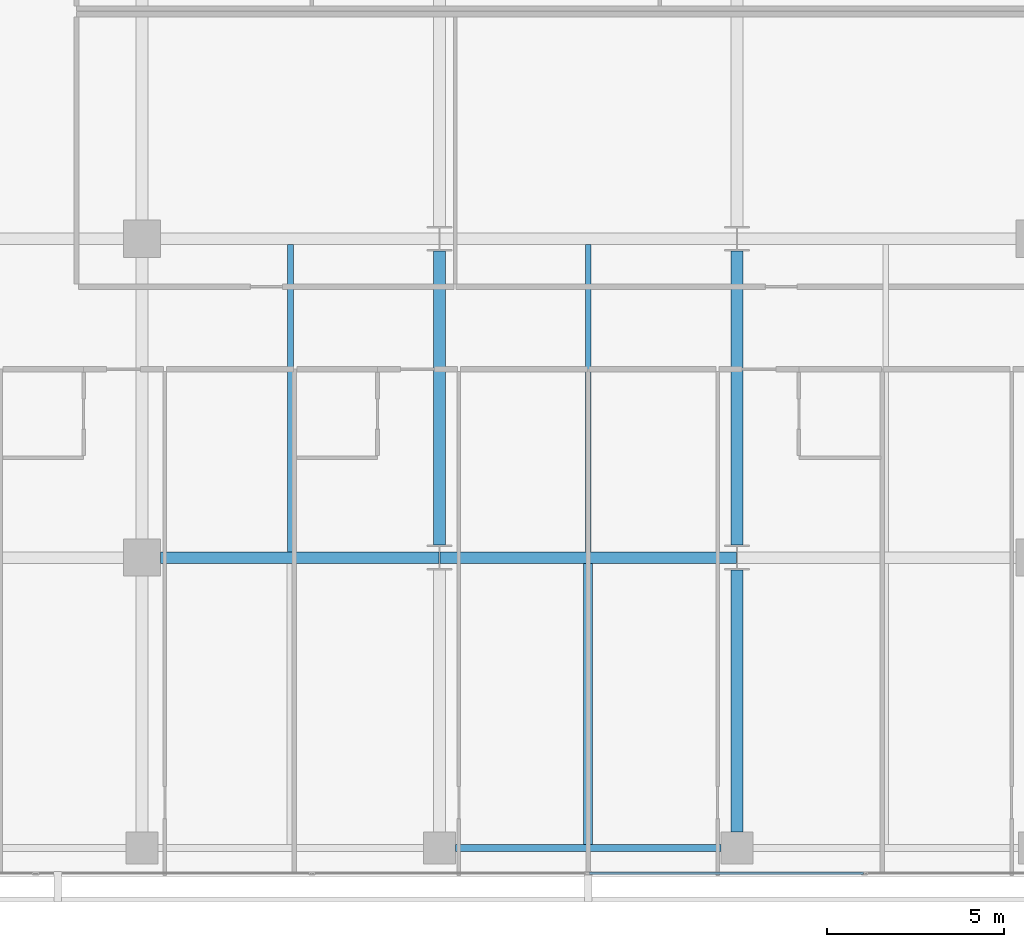
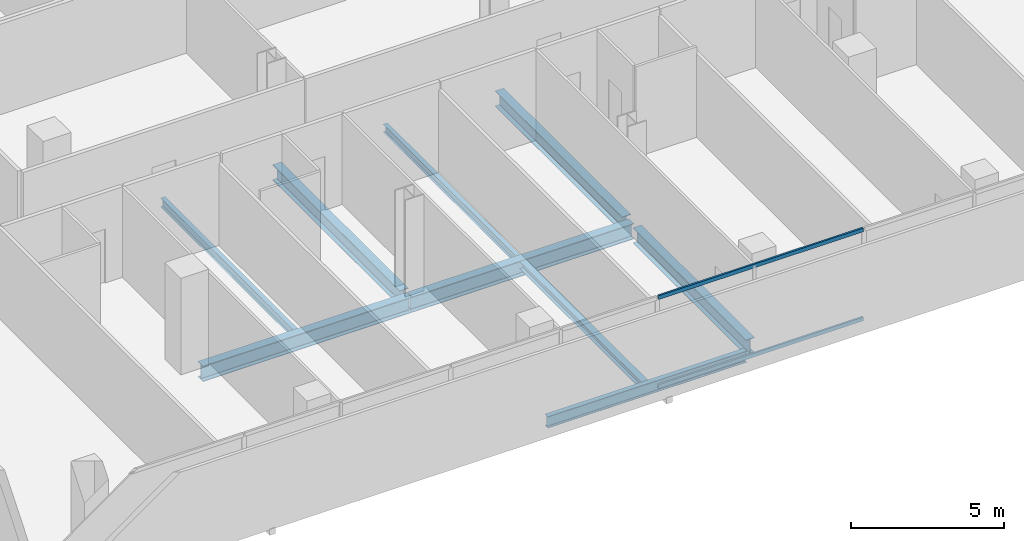
# One storey, part 9 of 40: 9 beams, 2 members, 1 element without a shape of its own.
"""IFC4 building model written with IfcOpenShell, lengths in metres."""

from ifc_helpers import new_model, si_unit, direction, frame, origin, origin_2d, place, context, subcontext, project, spatial, hollow_rectangle, i_section, extrude, material, layer, layer_set, material_profile, profile_set, type_object, element, aggregate, save


model = new_model("IFC4")

# Units and contexts
model_context = context("Model", 3, precision=1e-05, world=origin(), true_north=direction((0.0, 1.0)))
body_context = subcontext(model_context, "Body", "Model", "MODEL_VIEW")
ifc_project = project(units=[si_unit("LENGTHUNIT", "METRE"), si_unit("AREAUNIT", "SQUARE_METRE"), si_unit("VOLUMEUNIT", "CUBIC_METRE"), si_unit("PLANEANGLEUNIT", "RADIAN"), si_unit("MASSUNIT", "GRAM", prefix="KILO")], contexts=[model_context])

# Site, building, storey
site_placement = place(None, origin())
site = spatial("IfcSite", under=ifc_project, at=site_placement, CompositionType="ELEMENT")
building_placement = place(site_placement, origin())
building = spatial("IfcBuilding", under=site, at=building_placement, Name="Maruvema Waterfront Hotel and Observation Tower", CompositionType="ELEMENT")
storey_placement = place(building_placement, frame((0.0, 0.0, 50.050048828125)))
storey = spatial("IfcBuildingStorey", under=building, at=storey_placement, Name="L11", CompositionType="ELEMENT", Elevation=50.050048828125)

# Curtain wall, members
ifc_material_1 = material(Name="Anodised bronze aluminium and solar-control low-E IGU", Category="aluminium")
ifc_layer = layer(ifc_material_1, 0.159912109375, Name="Zone 1 Bronze Inner Thermal Curtain Wall System CW-02")
ifc_layer_set = layer_set([ifc_layer], Name="Anodised bronze aluminium and solar-control low-E IGU")
curtain_wall_type = type_object("IfcCurtainWallType", Name="Zone 1 Bronze Inner Thermal Curtain Wall System CW-02", PredefinedType="USERDEFINED", material=ifc_layer_set)
curtain_wall_placement = place(storey_placement, origin())
curtain_wall = element("IfcCurtainWall", 1, at=curtain_wall_placement, inside=storey, type_object=curtain_wall_type, Name="L11 Curtain Wall CW-L11-S", ObjectType="UNITISED CURTAIN WALL", PredefinedType="USERDEFINED")
ifc_material_2 = material(Name="Anodised architectural bronze aluminium", Category="aluminium")
ifc_material_profile_1 = material_profile(ifc_material_2, hollow_rectangle(XDim=0.070068359375, YDim=0.14990234375, WallThickness=0.00390625, at=origin_2d()), Name="ALU-T70x150")
ifc_profile_set_1 = profile_set([ifc_material_profile_1], Name="Anodised architectural bronze aluminium")
member_type = type_object("IfcMemberType", Name="Curtain Wall Horizontal Transom ALU-T70x150", PredefinedType="USERDEFINED", material=ifc_profile_set_1)
member_1_placement = place(storey_placement, frame((37.830078125, 0.080078125, 0.030029296875), z_axis=(1.0, 0.0, 0.0), x_axis=(0.0, 1.0, 0.0)))
member_1 = element("IfcMember", 2, at=member_1_placement, type_object=member_type, Name="CW-02 transom 4.1", ObjectType="TRANSOM", PredefinedType="USERDEFINED", context=body_context, shape_type="SweptSolid", body=[
    extrude(hollow_rectangle(XDim=0.070068359375, YDim=0.14990234375, WallThickness=0.00390625, at=origin_2d()), origin(), (0.0, 0.0, 1.0), 7.739990234375),
])
member_2_placement = place(storey_placement, frame((37.830078125, 0.080078125, 3.579833984375), z_axis=(1.0, 0.0, 0.0), x_axis=(0.0, 1.0, 0.0)))
member_2 = element("IfcMember", 3, at=member_2_placement, type_object=member_type, Name="CW-02 transom 4.2", ObjectType="TRANSOM", PredefinedType="USERDEFINED", context=body_context, shape_type="SweptSolid", body=[
    extrude(hollow_rectangle(XDim=0.070068359375, YDim=0.14990234375, WallThickness=0.00390625, at=origin_2d()), origin(), (0.0, 0.0, 1.0), 7.739990234375),
])
aggregate(curtain_wall, [member_1, member_2])

# Beams
ifc_material_3 = material(Name="Steel ASTM A572 Grade 50", Category="steel")
ifc_material_profile_2 = material_profile(ifc_material_3, i_section(OverallWidth=0.18994140625, OverallDepth=0.45703125, WebThickness=0.009033203125, FlangeThickness=0.014404296875, FilletRadius=0.014892578125, at=origin_2d()), Name="W460x74.0")
ifc_profile_set_2 = profile_set([ifc_material_profile_2], Name="Steel ASTM A572 Grade 50")
beam_type_1 = type_object("IfcBeamType", Name="Perimeter Spandrel Beam W460x74.0", PredefinedType="SPANDREL", material=ifc_profile_set_2)
beam_1_placement = place(storey_placement, frame((34.050048828125, 0.800048828125, -0.468505859375), z_axis=(1.0, 0.0, 0.0), x_axis=(0.0, 1.0, 0.0)))
element("IfcBeam", 4, at=beam_1_placement, inside=storey, type_object=beam_type_1, Name="L11 Floor Girder EW-03", PredefinedType="SPANDREL", context=body_context, shape_type="SweptSolid", body=[
    extrude(i_section(OverallWidth=0.18994140625, OverallDepth=0.45703125, WebThickness=0.009033203125, FlangeThickness=0.014404296875, FilletRadius=0.014892578125, at=origin_2d()), origin(), (0.0, 0.0, 1.0), 7.5),
])
ifc_material_4 = material(Name="Steel ASTM A572 Grade 50", Category="steel")
ifc_material_profile_3 = material_profile(ifc_material_4, i_section(OverallWidth=0.326904296875, OverallDepth=0.6220703125, WebThickness=0.015380859375, FlangeThickness=0.0244140625, FilletRadius=0.01806640625, at=origin_2d()), Name="W610x195.0")
ifc_profile_set_3 = profile_set([ifc_material_profile_3], Name="Steel ASTM A572 Grade 50")
beam_type_2 = type_object("IfcBeamType", Name="Primary Floor Girder W610x195.0", PredefinedType="BEAM", material=ifc_profile_set_3)
beam_2_placement = place(storey_placement, frame((25.72509765625, 9.0, -0.551025390625), z_axis=(1.0, 0.0, 0.0), x_axis=(0.0, 1.0, 0.0)))
element("IfcBeam", 5, at=beam_2_placement, inside=storey, type_object=beam_type_2, Name="L11 Floor Girder EW-08", PredefinedType="BEAM", context=body_context, shape_type="SweptSolid", body=[
    extrude(i_section(OverallWidth=0.326904296875, OverallDepth=0.6220703125, WebThickness=0.015380859375, FlangeThickness=0.0244140625, FilletRadius=0.01806640625, at=origin_2d()), origin(), (0.0, 0.0, 1.0), 7.86083984375),
])
beam_3_placement = place(storey_placement, frame((33.614013671875, 9.0, -0.551025390625), z_axis=(1.0, 0.0, 0.0), x_axis=(0.0, 1.0, 0.0)))
element("IfcBeam", 6, at=beam_3_placement, inside=storey, type_object=beam_type_2, Name="L11 Floor Girder EW-09", PredefinedType="BEAM", context=body_context, shape_type="SweptSolid", body=[
    extrude(i_section(OverallWidth=0.326904296875, OverallDepth=0.6220703125, WebThickness=0.015380859375, FlangeThickness=0.0244140625, FilletRadius=0.01806640625, at=origin_2d()), origin(), (0.0, 0.0, 1.0), 8.3720703125),
])
beam_4_placement = place(storey_placement, frame((33.60009765625, 9.35009765625, -0.551025390625), z_axis=(0.0, 1.0, 0.0), x_axis=(-1.0, 0.0, 0.0)))
element("IfcBeam", 7, at=beam_4_placement, inside=storey, type_object=beam_type_2, Name="L11 Floor Girder NS-17", PredefinedType="BEAM", context=body_context, shape_type="SweptSolid", body=[
    extrude(i_section(OverallWidth=0.326904296875, OverallDepth=0.6220703125, WebThickness=0.015380859375, FlangeThickness=0.0244140625, FilletRadius=0.01806640625, at=origin_2d()), origin(), (0.0, 0.0, 1.0), 8.2998046875),
])
beam_5_placement = place(storey_placement, frame((42.0, 1.25, -0.551025390625), z_axis=(0.0, 1.0, 0.0), x_axis=(-1.0, 0.0, 0.0)))
element("IfcBeam", 8, at=beam_5_placement, inside=storey, type_object=beam_type_2, Name="L11 Floor Girder NS-19", PredefinedType="BEAM", context=body_context, shape_type="SweptSolid", body=[
    extrude(i_section(OverallWidth=0.326904296875, OverallDepth=0.6220703125, WebThickness=0.015380859375, FlangeThickness=0.0244140625, FilletRadius=0.01806640625, at=origin_2d()), origin(), (0.0, 0.0, 1.0), 7.39990234375),
])
beam_6_placement = place(storey_placement, frame((42.0, 9.35009765625, -0.551025390625), z_axis=(0.0, 1.0, 0.0), x_axis=(-1.0, 0.0, 0.0)))
element("IfcBeam", 9, at=beam_6_placement, inside=storey, type_object=beam_type_2, Name="L11 Floor Girder NS-20", PredefinedType="BEAM", context=body_context, shape_type="SweptSolid", body=[
    extrude(i_section(OverallWidth=0.326904296875, OverallDepth=0.6220703125, WebThickness=0.015380859375, FlangeThickness=0.0244140625, FilletRadius=0.01806640625, at=origin_2d()), origin(), (0.0, 0.0, 1.0), 8.2998046875),
])
ifc_material_5 = material(Name="Steel ASTM A572 Grade 50", Category="steel")
ifc_material_profile_4 = material_profile(ifc_material_5, i_section(OverallWidth=0.1669921875, OverallDepth=0.31689453125, WebThickness=0.007568359375, FlangeThickness=0.01318359375, FilletRadius=0.012939453125, at=origin_2d()), Name="W310x52.0")
ifc_profile_set_4 = profile_set([ifc_material_profile_4], Name="Steel ASTM A572 Grade 50")
beam_type_3 = type_object("IfcBeamType", Name="Secondary Floor Joist W310x52.0", PredefinedType="JOIST", material=ifc_profile_set_4)
beam_7_placement = place(storey_placement, frame((37.800048828125, 9.16357421875, -0.3984375), z_axis=(0.0, 1.0, 0.0), x_axis=(-1.0, 0.0, 0.0)))
element("IfcBeam", 10, at=beam_7_placement, inside=storey, type_object=beam_type_3, Name="L11 Secondary Floor Joist JS-13", PredefinedType="JOIST", context=body_context, shape_type="SweptSolid", body=[
    extrude(i_section(OverallWidth=0.1669921875, OverallDepth=0.31689453125, WebThickness=0.007568359375, FlangeThickness=0.01318359375, FilletRadius=0.012939453125, at=origin_2d()), origin(), (0.0, 0.0, 1.0), 8.6728515625),
])
ifc_material_6 = material(Name="Steel ASTM A572 Grade 50", Category="steel")
ifc_material_profile_5 = material_profile(ifc_material_6, i_section(OverallWidth=0.25390625, OverallDepth=0.305908203125, WebThickness=0.0087890625, FlangeThickness=0.0146484375, FilletRadius=0.014892578125, at=origin_2d()), Name="W310x79.0")
ifc_profile_set_5 = profile_set([ifc_material_profile_5], Name="Steel ASTM A572 Grade 50")
beam_type_4 = type_object("IfcBeamType", Name="Secondary Floor Joist W310x79.0", PredefinedType="JOIST", material=ifc_profile_set_5)
beam_8_placement = place(storey_placement, frame((37.800048828125, 0.89501953125, -0.39306640625), z_axis=(0.0, 1.0, 0.0), x_axis=(-1.0, 0.0, 0.0)))
element("IfcBeam", 11, at=beam_8_placement, inside=storey, type_object=beam_type_4, Name="L11 Secondary Floor Joist JS-12", PredefinedType="JOIST", context=body_context, shape_type="SweptSolid", body=[
    extrude(i_section(OverallWidth=0.25390625, OverallDepth=0.305908203125, WebThickness=0.0087890625, FlangeThickness=0.0146484375, FilletRadius=0.014892578125, at=origin_2d()), origin(), (0.0, 0.0, 1.0), 7.94140625),
])
ifc_material_7 = material(Name="Steel ASTM A572 Grade 50", Category="steel")
ifc_material_profile_6 = material_profile(ifc_material_7, i_section(OverallWidth=0.1708984375, OverallDepth=0.35498046875, WebThickness=0.007080078125, FlangeThickness=0.01171875, FilletRadius=0.014892578125, at=origin_2d()), Name="W360x51.0")
ifc_profile_set_6 = profile_set([ifc_material_profile_6], Name="Steel ASTM A572 Grade 50")
beam_type_5 = type_object("IfcBeamType", Name="Secondary Floor Joist W360x51.0", PredefinedType="JOIST", material=ifc_profile_set_6)
beam_9_placement = place(storey_placement, frame((29.39990234375, 9.16357421875, -0.41748046875), z_axis=(0.0, 1.0, 0.0), x_axis=(-1.0, 0.0, 0.0)))
element("IfcBeam", 12, at=beam_9_placement, inside=storey, type_object=beam_type_5, Name="L11 Secondary Floor Joist JS-11", PredefinedType="JOIST", context=body_context, shape_type="SweptSolid", body=[
    extrude(i_section(OverallWidth=0.1708984375, OverallDepth=0.35498046875, WebThickness=0.007080078125, FlangeThickness=0.01171875, FilletRadius=0.014892578125, at=origin_2d()), origin(), (0.0, 0.0, 1.0), 8.6728515625),
])

save(model, "model.ifc")
